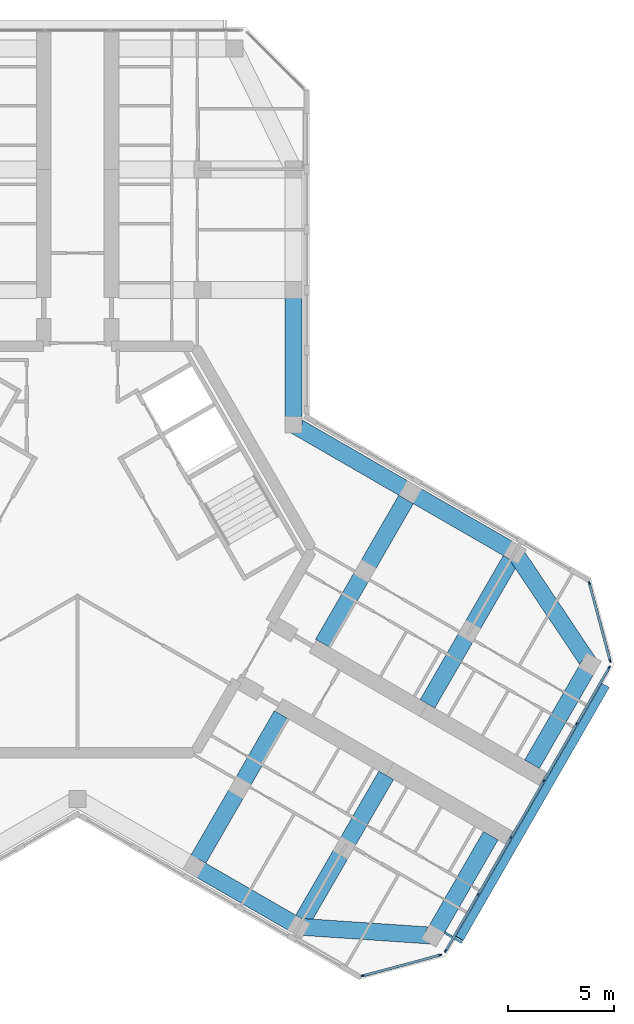
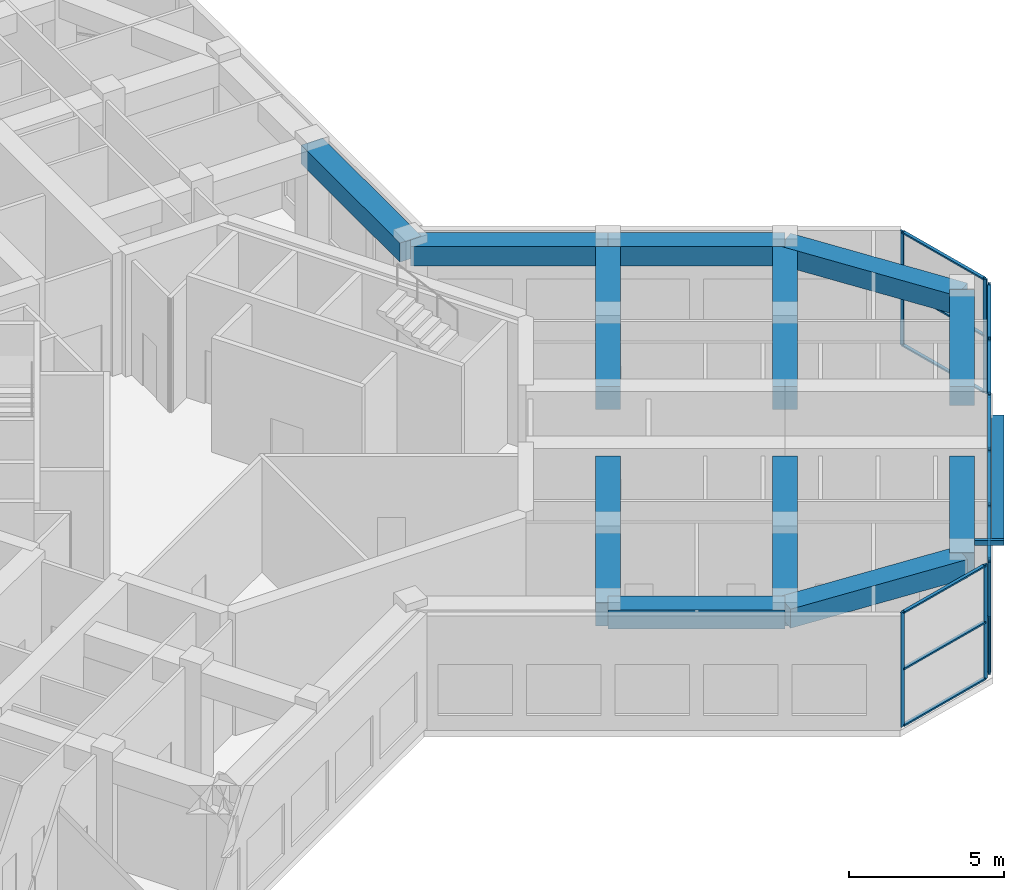
# One storey, part 4 of 14: 33 members, 12 beams, 3 elements without a shape of their own.
"""IFC4 building model written with IfcOpenShell, lengths in metres."""

from ifc_helpers import new_model, si_unit, direction, frame, origin, origin_2d, place, context, subcontext, project, spatial, rectangle, hollow_rectangle, extrude, material, material_profile, profile_set, type_object, element, aggregate, save


model = new_model("IFC4")

# Units and contexts
model_context = context("Model", 3, precision=1e-05, world=origin(), true_north=direction((0.0, 1.0)))
body_context = subcontext(model_context, "Body", "Model", "MODEL_VIEW")
ifc_project = project(units=[si_unit("LENGTHUNIT", "METRE"), si_unit("AREAUNIT", "SQUARE_METRE"), si_unit("VOLUMEUNIT", "CUBIC_METRE"), si_unit("PLANEANGLEUNIT", "RADIAN"), si_unit("MASSUNIT", "GRAM", prefix="KILO")], contexts=[model_context])

# Site, building, storey
site_placement = place(None, origin())
site = spatial("IfcSite", under=ifc_project, at=site_placement, CompositionType="ELEMENT")
building_placement = place(site_placement, origin())
building = spatial("IfcBuilding", under=site, at=building_placement, Name="Kosmar Iwan School Tower", CompositionType="ELEMENT")
storey_placement = place(building_placement, frame((0.0, 0.0, 296.199951171875)))
storey = spatial("IfcBuildingStorey", under=building, at=storey_placement, Name="L75", CompositionType="ELEMENT", Elevation=296.199951171875)

# Members
ifc_material_1 = material(Name="Black anodised aluminium", Category="aluminium")
ifc_material_profile_1 = material_profile(ifc_material_1, rectangle(XDim=0.10009765625, YDim=0.39990234375, at=origin_2d()), Name="FIN 100x400")
ifc_profile_set_1 = profile_set([ifc_material_profile_1], Name="Black anodised aluminium")
member_type_1 = type_object("IfcMemberType", Name="Diagonal fin 100x400", PredefinedType="USERDEFINED", material=ifc_profile_set_1)
member_1_placement = place(storey_placement, frame((24.926513671875, -6.426025390625, -0.14990234375), z_axis=(-0.472764937305, -0.818851292401, 0.325539360121), x_axis=(0.162769918452, 0.281925218161, 0.945528489794)))
element("IfcMember", 1, at=member_1_placement, inside=storey, type_object=member_type_1, Name="Diagonal fin L75-F03", ObjectType="FIN", PredefinedType="USERDEFINED", context=body_context, shape_type="SweptSolid", body=[
    extrude(rectangle(XDim=0.10009765625, YDim=0.39990234375, at=origin_2d()), origin(), (0.0, 0.0, 1.0), 14.591064453125),
])
ifc_material_2 = material(Name="Steel S355", Category="steel")
ifc_material_profile_2 = material_profile(ifc_material_2, hollow_rectangle(XDim=0.10009765625, YDim=0.199951171875, WallThickness=0.008056640625, at=origin_2d()), Name="RHS 200x100x8")
ifc_profile_set_2 = profile_set([ifc_material_profile_2], Name="Steel S355")
member_type_2 = type_object("IfcMemberType", Name="Fin bracket RHS 200x100", PredefinedType="USERDEFINED", material=ifc_profile_set_2)
member_2_placement = place(storey_placement, frame((17.327880859375, -18.087158203125, 4.650146484375), z_axis=(0.865988727248, -0.500063520245, 0.0), x_axis=(0.500063520245, 0.865988727248, 0.0)))
element("IfcMember", 2, at=member_2_placement, inside=storey, type_object=member_type_2, Name="Fin bracket RF", ObjectType="FIN BRACKET", PredefinedType="USERDEFINED", context=body_context, shape_type="SweptSolid", body=[
    extrude(hollow_rectangle(XDim=0.10009765625, YDim=0.199951171875, WallThickness=0.008056640625, at=origin_2d()), origin(), (0.0, 0.0, 1.0), 0.9501953125),
])

# Curtain wall, members
ifc_material_3 = material(Name="Dark glass in black aluminium frame", Category="aluminium")
curtain_wall_type = type_object("IfcCurtainWallType", Name="Top floor curtain wall", PredefinedType="USERDEFINED", material=ifc_material_3)
curtain_wall_1_placement = place(storey_placement, origin())
curtain_wall_1 = element("IfcCurtainWall", 3, at=curtain_wall_1_placement, inside=storey, type_object=curtain_wall_type, Name="Curtain wall L75-F02", ObjectType="FULL HEIGHT CURTAIN WALL", PredefinedType="USERDEFINED")
ifc_material_4 = material(Name="Black anodised aluminium", Category="aluminium")
ifc_material_profile_3 = material_profile(ifc_material_4, rectangle(XDim=0.06005859375, YDim=0.159912109375, at=origin_2d()), Name="MULLION 60x160")
ifc_profile_set_3 = profile_set([ifc_material_profile_3], Name="Black anodised aluminium")
member_type_3 = type_object("IfcMemberType", Name="Mullion 60x160", PredefinedType="MULLION", material=ifc_profile_set_3)
member_3_placement = place(storey_placement, frame((13.466064453125, -20.127197265625, 0.0), z_axis=(0.0, 0.0, 1.0), x_axis=(-0.258818861462, 0.965925875495, 0.0)))
member_3 = element("IfcMember", 4, at=member_3_placement, type_object=member_type_3, Name="CW5 mullion 1", PredefinedType="MULLION", context=body_context, shape_type="SweptSolid", body=[
    extrude(rectangle(XDim=0.06005859375, YDim=0.159912109375, at=origin_2d()), origin(), (0.0, 0.0, 1.0), 4.5),
])
member_4_placement = place(storey_placement, frame((17.1162109375, -19.149169921875, 0.0), z_axis=(0.0, 0.0, 1.0), x_axis=(-0.258818861462, 0.965925875495, 0.0)))
member_4 = element("IfcMember", 5, at=member_4_placement, type_object=member_type_3, Name="CW5 mullion 2", PredefinedType="MULLION", context=body_context, shape_type="SweptSolid", body=[
    extrude(rectangle(XDim=0.06005859375, YDim=0.159912109375, at=origin_2d()), origin(), (0.0, 0.0, 1.0), 4.5),
])

curtain_wall_2_placement = place(storey_placement, origin())
curtain_wall_2 = element("IfcCurtainWall", 6, at=curtain_wall_2_placement, inside=storey, type_object=curtain_wall_type, Name="Curtain wall L75-F03", ObjectType="FULL HEIGHT CURTAIN WALL", PredefinedType="USERDEFINED")
member_5_placement = place(storey_placement, frame((17.380126953125, -18.94677734375, 0.0), z_axis=(0.0, 0.0, 1.0), x_axis=(-0.866025405329, 0.499999997325, 0.0)))
member_5 = element("IfcMember", 7, at=member_5_placement, type_object=member_type_3, Name="CW5 mullion 1", PredefinedType="MULLION", context=body_context, shape_type="SweptSolid", body=[
    extrude(rectangle(XDim=0.06005859375, YDim=0.159912109375, at=origin_2d()), origin(), (0.0, 0.0, 1.0), 4.5),
])
member_6_placement = place(storey_placement, frame((18.914794921875, -16.28857421875, 0.0), z_axis=(0.0, 0.0, 1.0), x_axis=(-0.866025405329, 0.499999997325, 0.0)))
member_6 = element("IfcMember", 8, at=member_6_placement, type_object=member_type_3, Name="CW5 mullion 2", PredefinedType="MULLION", context=body_context, shape_type="SweptSolid", body=[
    extrude(rectangle(XDim=0.06005859375, YDim=0.159912109375, at=origin_2d()), origin(), (0.0, 0.0, 1.0), 4.5),
])
member_7_placement = place(storey_placement, frame((20.46435546875, -13.6044921875, 0.0), z_axis=(0.0, 0.0, 1.0), x_axis=(-0.866025405329, 0.499999997325, 0.0)))
member_7 = element("IfcMember", 9, at=member_7_placement, type_object=member_type_3, Name="CW5 mullion 3", PredefinedType="MULLION", context=body_context, shape_type="SweptSolid", body=[
    extrude(rectangle(XDim=0.06005859375, YDim=0.159912109375, at=origin_2d()), origin(), (0.0, 0.0, 1.0), 4.5),
])
member_8_placement = place(storey_placement, frame((22.01416015625, -10.92041015625, 0.0), z_axis=(0.0, 0.0, 1.0), x_axis=(-0.866025405329, 0.499999997325, 0.0)))
member_8 = element("IfcMember", 10, at=member_8_placement, type_object=member_type_3, Name="CW5 mullion 4", PredefinedType="MULLION", context=body_context, shape_type="SweptSolid", body=[
    extrude(rectangle(XDim=0.06005859375, YDim=0.159912109375, at=origin_2d()), origin(), (0.0, 0.0, 1.0), 4.5),
])
member_9_placement = place(storey_placement, frame((23.563720703125, -8.236328125, 0.0), z_axis=(0.0, 0.0, 1.0), x_axis=(-0.866025405329, 0.499999997325, 0.0)))
member_9 = element("IfcMember", 11, at=member_9_placement, type_object=member_type_3, Name="CW5 mullion 5", PredefinedType="MULLION", context=body_context, shape_type="SweptSolid", body=[
    extrude(rectangle(XDim=0.06005859375, YDim=0.159912109375, at=origin_2d()), origin(), (0.0, 0.0, 1.0), 4.5),
])
member_10_placement = place(storey_placement, frame((25.098388671875, -5.578369140625, 0.0), z_axis=(0.0, 0.0, 1.0), x_axis=(-0.866025405329, 0.499999997325, 0.0)))
member_10 = element("IfcMember", 12, at=member_10_placement, type_object=member_type_3, Name="CW5 mullion 6", PredefinedType="MULLION", context=body_context, shape_type="SweptSolid", body=[
    extrude(rectangle(XDim=0.06005859375, YDim=0.159912109375, at=origin_2d()), origin(), (0.0, 0.0, 1.0), 4.5),
])

curtain_wall_3_placement = place(storey_placement, origin())
curtain_wall_3 = element("IfcCurtainWall", 13, at=curtain_wall_3_placement, inside=storey, type_object=curtain_wall_type, Name="Curtain wall L75-F04", ObjectType="FULL HEIGHT CURTAIN WALL", PredefinedType="USERDEFINED")
member_11_placement = place(storey_placement, frame((25.141845703125, -5.24853515625, 0.0), z_axis=(0.0, 0.0, 1.0), x_axis=(-0.965925875495, -0.258818861462, 0.0)))
member_11 = element("IfcMember", 14, at=member_11_placement, type_object=member_type_3, Name="CW5 mullion 1", PredefinedType="MULLION", context=body_context, shape_type="SweptSolid", body=[
    extrude(rectangle(XDim=0.06005859375, YDim=0.159912109375, at=origin_2d()), origin(), (0.0, 0.0, 1.0), 4.5),
])
member_12_placement = place(storey_placement, frame((24.163818359375, -1.59814453125, 0.0), z_axis=(0.0, 0.0, 1.0), x_axis=(-0.965925875495, -0.258818861462, 0.0)))
member_12 = element("IfcMember", 15, at=member_12_placement, type_object=member_type_3, Name="CW5 mullion 2", PredefinedType="MULLION", context=body_context, shape_type="SweptSolid", body=[
    extrude(rectangle(XDim=0.06005859375, YDim=0.159912109375, at=origin_2d()), origin(), (0.0, 0.0, 1.0), 4.5),
])

# Beams
ifc_material_5 = material(Name="Concrete C50/60", Category="concrete")
ifc_material_profile_4 = material_profile(ifc_material_5, rectangle(XDim=0.800048828125, YDim=0.75, at=origin_2d()), Name="RC 800x750")
ifc_profile_set_4 = profile_set([ifc_material_profile_4], Name="Concrete C50/60")
beam_type_1 = type_object("IfcBeamType", Name="RC edge beam 800x750", PredefinedType="BEAM", material=ifc_profile_set_4)
beam_1_placement = place(storey_placement, frame((10.199951171875, 5.888916015625, 4.125), z_axis=(0.0, 1.0, 0.0), x_axis=(-1.0, 0.0, 0.0)))
element("IfcBeam", 16, at=beam_1_placement, inside=storey, type_object=beam_type_1, Name="Edge beam AR1", PredefinedType="BEAM", context=body_context, shape_type="SweptSolid", body=[
    extrude(rectangle(XDim=0.800048828125, YDim=0.75, at=origin_2d()), origin(), (0.0, 0.0, 1.0), 6.361083984375),
])
beam_2_placement = place(storey_placement, frame((10.199951171875, 5.888916015625, 4.125), z_axis=(0.866030912664, -0.49999045822, 0.0), x_axis=(0.49999045822, 0.866030912664, 0.0)))
element("IfcBeam", 17, at=beam_2_placement, inside=storey, type_object=beam_type_1, Name="Edge beam CL1", PredefinedType="BEAM", context=body_context, shape_type="SweptSolid", body=[
    extrude(rectangle(XDim=0.800048828125, YDim=0.75, at=origin_2d()), origin(), (0.0, 0.0, 1.0), 6.36083984375),
])
beam_3_placement = place(storey_placement, frame((15.708740234375, 2.70849609375, 4.125), z_axis=(0.866025820012, -0.499999279071, 0.0), x_axis=(0.499999279071, 0.866025820012, 0.0)))
element("IfcBeam", 18, at=beam_3_placement, inside=storey, type_object=beam_type_1, Name="Edge beam CL2", PredefinedType="BEAM", context=body_context, shape_type="SweptSolid", body=[
    extrude(rectangle(XDim=0.800048828125, YDim=0.75, at=origin_2d()), origin(), (0.0, 0.0, 1.0), 5.7001953125),
])
beam_4_placement = place(storey_placement, frame((5.5087890625, -14.95849609375, 4.125), z_axis=(0.866033658841, -0.49998570155, 0.0), x_axis=(0.49998570155, 0.866033658841, 0.0)))
element("IfcBeam", 19, at=beam_4_placement, inside=storey, type_object=beam_type_1, Name="Edge beam CR2", PredefinedType="BEAM", context=body_context, shape_type="SweptSolid", body=[
    extrude(rectangle(XDim=0.800048828125, YDim=0.75, at=origin_2d()), origin(), (0.0, 0.0, 1.0), 5.699951171875),
])
ifc_material_6 = material(Name="Concrete C50/60", Category="concrete")
ifc_material_profile_5 = material_profile(ifc_material_6, rectangle(XDim=0.800048828125, YDim=0.75, at=origin_2d()), Name="RC 800x750")
ifc_profile_set_5 = profile_set([ifc_material_profile_5], Name="Concrete C50/60")
beam_type_2 = type_object("IfcBeamType", Name="RC tip beam 800x750", PredefinedType="BEAM", material=ifc_profile_set_5)
beam_5_placement = place(storey_placement, frame((20.645263671875, -0.1416015625, 4.125), z_axis=(0.556827604145, -0.83062808721, 0.0), x_axis=(0.83062808721, 0.556827604145, 0.0)))
element("IfcBeam", 20, at=beam_5_placement, inside=storey, type_object=beam_type_2, Name="Tip beam CL", PredefinedType="BEAM", context=body_context, shape_type="SweptSolid", body=[
    extrude(rectangle(XDim=0.800048828125, YDim=0.75, at=origin_2d()), origin(), (0.0, 0.0, 1.0), 6.3505859375),
])
beam_6_placement = place(storey_placement, frame((24.181396484375, -5.41650390625, 4.125), z_axis=(-0.499988730927, -0.866031909889, 0.0), x_axis=(0.866031909889, -0.499988730927, 0.0)))
element("IfcBeam", 21, at=beam_6_placement, inside=storey, type_object=beam_type_2, Name="Tip beam CL to corridor wall", PredefinedType="BEAM", context=body_context, shape_type="SweptSolid", body=[
    extrude(rectangle(XDim=0.800048828125, YDim=0.75, at=origin_2d()), origin(), (0.0, 0.0, 1.0), 5.449951171875),
])
beam_7_placement = place(storey_placement, frame((10.445068359375, -17.808349609375, 4.125), z_axis=(0.997755118724, -0.066968074933, 0.0), x_axis=(0.066968074933, 0.997755118724, 0.0)))
element("IfcBeam", 22, at=beam_7_placement, inside=storey, type_object=beam_type_2, Name="Tip beam CR", PredefinedType="BEAM", context=body_context, shape_type="SweptSolid", body=[
    extrude(rectangle(XDim=0.800048828125, YDim=0.75, at=origin_2d()), origin(), (0.0, 0.0, 1.0), 6.3505859375),
])
beam_8_placement = place(storey_placement, frame((16.781494140625, -18.233642578125, 4.125), z_axis=(0.500002931134, 0.866023711487, 0.0), x_axis=(-0.866023711487, 0.500002931134, 0.0)))
element("IfcBeam", 23, at=beam_8_placement, inside=storey, type_object=beam_type_2, Name="Tip beam CR to corridor wall", PredefinedType="BEAM", context=body_context, shape_type="SweptSolid", body=[
    extrude(rectangle(XDim=0.800048828125, YDim=0.75, at=origin_2d()), origin(), (0.0, 0.0, 1.0), 5.4501953125),
])
ifc_material_7 = material(Name="Concrete C50/60", Category="concrete")
ifc_material_profile_6 = material_profile(ifc_material_7, rectangle(XDim=0.800048828125, YDim=0.89990234375, at=origin_2d()), Name="RC 800x900")
ifc_profile_set_6 = profile_set([ifc_material_profile_6], Name="Concrete C50/60")
beam_type_3 = type_object("IfcBeamType", Name="RC transverse beam 800x900", PredefinedType="BEAM", material=ifc_profile_set_6)
beam_9_placement = place(storey_placement, frame((15.708740234375, 2.70849609375, 4.050048828125), z_axis=(-0.499996545922, -0.866027397988, 0.0), x_axis=(0.866027397988, -0.499996545922, 0.0)))
element("IfcBeam", 24, at=beam_9_placement, inside=storey, type_object=beam_type_3, Name="Transverse beam CL1", PredefinedType="BEAM", context=body_context, shape_type="SweptSolid", body=[
    extrude(rectangle(XDim=0.800048828125, YDim=0.89990234375, at=origin_2d()), origin(), (0.0, 0.0, 1.0), 8.25),
])
beam_10_placement = place(storey_placement, frame((20.645263671875, -0.1416015625, 4.050048828125), z_axis=(-0.500009360108, -0.866019999656, 0.0), x_axis=(0.866019999656, -0.500009360108, 0.0)))
element("IfcBeam", 25, at=beam_10_placement, inside=storey, type_object=beam_type_3, Name="Transverse beam CL2", PredefinedType="BEAM", context=body_context, shape_type="SweptSolid", body=[
    extrude(rectangle(XDim=0.800048828125, YDim=0.89990234375, at=origin_2d()), origin(), (0.0, 0.0, 1.0), 8.249755859375),
])
beam_11_placement = place(storey_placement, frame((5.5087890625, -14.95849609375, 4.050048828125), z_axis=(0.499996545922, 0.866027397988, 0.0), x_axis=(-0.866027397988, 0.499996545922, 0.0)))
element("IfcBeam", 26, at=beam_11_placement, inside=storey, type_object=beam_type_3, Name="Transverse beam CR1", PredefinedType="BEAM", context=body_context, shape_type="SweptSolid", body=[
    extrude(rectangle(XDim=0.800048828125, YDim=0.89990234375, at=origin_2d()), origin(), (0.0, 0.0, 1.0), 8.25),
])
beam_12_placement = place(storey_placement, frame((10.445068359375, -17.808349609375, 4.050048828125), z_axis=(0.500009360108, 0.866019999656, 0.0), x_axis=(-0.866019999656, 0.500009360108, 0.0)))
element("IfcBeam", 27, at=beam_12_placement, inside=storey, type_object=beam_type_3, Name="Transverse beam CR2", PredefinedType="BEAM", context=body_context, shape_type="SweptSolid", body=[
    extrude(rectangle(XDim=0.800048828125, YDim=0.89990234375, at=origin_2d()), origin(), (0.0, 0.0, 1.0), 8.249755859375),
])

# Member
ifc_material_8 = material(Name="Black anodised aluminium", Category="aluminium")
ifc_material_profile_7 = material_profile(ifc_material_8, rectangle(XDim=0.1201171875, YDim=0.06005859375, at=origin_2d()), Name="TRANSOM 60x120")
ifc_profile_set_7 = profile_set([ifc_material_profile_7], Name="Black anodised aluminium")
member_type_4 = type_object("IfcMemberType", Name="Transom 60x120", PredefinedType="USERDEFINED", material=ifc_profile_set_7)
member_13_placement = place(storey_placement, frame((13.494873046875, -20.119384765625, 0.030029296875), z_axis=(0.965940141052, 0.258765615768, 0.0), x_axis=(-0.258765615768, 0.965940141052, 0.0)))
member_13 = element("IfcMember", 28, at=member_13_placement, type_object=member_type_4, Name="CW5 transom 1.1", ObjectType="TRANSOM", PredefinedType="USERDEFINED", context=body_context, shape_type="SweptSolid", body=[
    extrude(rectangle(XDim=0.1201171875, YDim=0.06005859375, at=origin_2d()), origin(), (0.0, 0.0, 1.0), 3.71923828125),
])

member_14_placement = place(storey_placement, frame((13.494873046875, -20.119384765625, 2.25), z_axis=(0.965940141052, 0.258765615768, 0.0), x_axis=(-0.258765615768, 0.965940141052, 0.0)))
member_14 = element("IfcMember", 29, at=member_14_placement, type_object=member_type_4, Name="CW5 transom 1.2", ObjectType="TRANSOM", PredefinedType="USERDEFINED", context=body_context, shape_type="SweptSolid", body=[
    extrude(rectangle(XDim=0.1201171875, YDim=0.06005859375, at=origin_2d()), origin(), (0.0, 0.0, 1.0), 3.71923828125),
])

member_15_placement = place(storey_placement, frame((13.494873046875, -20.119384765625, 4.469970703125), z_axis=(0.965940141052, 0.258765615768, 0.0), x_axis=(-0.258765615768, 0.965940141052, 0.0)))
member_15 = element("IfcMember", 30, at=member_15_placement, type_object=member_type_4, Name="CW5 transom 1.3", ObjectType="TRANSOM", PredefinedType="USERDEFINED", context=body_context, shape_type="SweptSolid", body=[
    extrude(rectangle(XDim=0.1201171875, YDim=0.06005859375, at=origin_2d()), origin(), (0.0, 0.0, 1.0), 3.71923828125),
])

aggregate(curtain_wall_1, [member_3, member_4, member_13, member_14, member_15])

member_16_placement = place(storey_placement, frame((17.395263671875, -18.920654296875, 0.030029296875), z_axis=(0.500022102064, 0.866012642776, 0.0), x_axis=(-0.866012642776, 0.500022102064, 0.0)))
member_16 = element("IfcMember", 31, at=member_16_placement, type_object=member_type_4, Name="CW5 transom 1.1", ObjectType="TRANSOM", PredefinedType="USERDEFINED", context=body_context, shape_type="SweptSolid", body=[
    extrude(rectangle(XDim=0.1201171875, YDim=0.06005859375, at=origin_2d()), origin(), (0.0, 0.0, 1.0), 3.009033203125),
])

member_17_placement = place(storey_placement, frame((17.395263671875, -18.920654296875, 2.25), z_axis=(0.500022102064, 0.866012642776, 0.0), x_axis=(-0.866012642776, 0.500022102064, 0.0)))
member_17 = element("IfcMember", 32, at=member_17_placement, type_object=member_type_4, Name="CW5 transom 1.2", ObjectType="TRANSOM", PredefinedType="USERDEFINED", context=body_context, shape_type="SweptSolid", body=[
    extrude(rectangle(XDim=0.1201171875, YDim=0.06005859375, at=origin_2d()), origin(), (0.0, 0.0, 1.0), 3.009033203125),
])

member_18_placement = place(storey_placement, frame((17.395263671875, -18.920654296875, 4.469970703125), z_axis=(0.500022102064, 0.866012642776, 0.0), x_axis=(-0.866012642776, 0.500022102064, 0.0)))
member_18 = element("IfcMember", 33, at=member_18_placement, type_object=member_type_4, Name="CW5 transom 1.3", ObjectType="TRANSOM", PredefinedType="USERDEFINED", context=body_context, shape_type="SweptSolid", body=[
    extrude(rectangle(XDim=0.1201171875, YDim=0.06005859375, at=origin_2d()), origin(), (0.0, 0.0, 1.0), 3.009033203125),
])

member_19_placement = place(storey_placement, frame((18.9296875, -16.2626953125, 0.030029296875), z_axis=(0.500035348339, 0.866004994449, 0.0), x_axis=(-0.866004994449, 0.500035348339, 0.0)))
member_19 = element("IfcMember", 34, at=member_19_placement, type_object=member_type_4, Name="CW5 transom 2.1", ObjectType="TRANSOM", PredefinedType="USERDEFINED", context=body_context, shape_type="SweptSolid", body=[
    extrude(rectangle(XDim=0.1201171875, YDim=0.06005859375, at=origin_2d()), origin(), (0.0, 0.0, 1.0), 3.039306640625),
])

member_20_placement = place(storey_placement, frame((18.9296875, -16.2626953125, 2.25), z_axis=(0.500035348339, 0.866004994449, 0.0), x_axis=(-0.866004994449, 0.500035348339, 0.0)))
member_20 = element("IfcMember", 35, at=member_20_placement, type_object=member_type_4, Name="CW5 transom 2.2", ObjectType="TRANSOM", PredefinedType="USERDEFINED", context=body_context, shape_type="SweptSolid", body=[
    extrude(rectangle(XDim=0.1201171875, YDim=0.06005859375, at=origin_2d()), origin(), (0.0, 0.0, 1.0), 3.039306640625),
])

member_21_placement = place(storey_placement, frame((18.9296875, -16.2626953125, 4.469970703125), z_axis=(0.500035348339, 0.866004994449, 0.0), x_axis=(-0.866004994449, 0.500035348339, 0.0)))
member_21 = element("IfcMember", 36, at=member_21_placement, type_object=member_type_4, Name="CW5 transom 2.3", ObjectType="TRANSOM", PredefinedType="USERDEFINED", context=body_context, shape_type="SweptSolid", body=[
    extrude(rectangle(XDim=0.1201171875, YDim=0.06005859375, at=origin_2d()), origin(), (0.0, 0.0, 1.0), 3.039306640625),
])

member_22_placement = place(storey_placement, frame((20.4794921875, -13.57861328125, 0.030029296875), z_axis=(0.499975102327, 0.866039777986, 0.0), x_axis=(-0.866039777986, 0.499975102327, 0.0)))
member_22 = element("IfcMember", 37, at=member_22_placement, type_object=member_type_4, Name="CW5 transom 3.1", ObjectType="TRANSOM", PredefinedType="USERDEFINED", context=body_context, shape_type="SweptSolid", body=[
    extrude(rectangle(XDim=0.1201171875, YDim=0.06005859375, at=origin_2d()), origin(), (0.0, 0.0, 1.0), 3.039306640625),
])

member_23_placement = place(storey_placement, frame((20.4794921875, -13.57861328125, 2.25), z_axis=(0.499975102327, 0.866039777986, 0.0), x_axis=(-0.866039777986, 0.499975102327, 0.0)))
member_23 = element("IfcMember", 38, at=member_23_placement, type_object=member_type_4, Name="CW5 transom 3.2", ObjectType="TRANSOM", PredefinedType="USERDEFINED", context=body_context, shape_type="SweptSolid", body=[
    extrude(rectangle(XDim=0.1201171875, YDim=0.06005859375, at=origin_2d()), origin(), (0.0, 0.0, 1.0), 3.039306640625),
])

member_24_placement = place(storey_placement, frame((20.4794921875, -13.57861328125, 4.469970703125), z_axis=(0.499975102327, 0.866039777986, 0.0), x_axis=(-0.866039777986, 0.499975102327, 0.0)))
member_24 = element("IfcMember", 39, at=member_24_placement, type_object=member_type_4, Name="CW5 transom 3.3", ObjectType="TRANSOM", PredefinedType="USERDEFINED", context=body_context, shape_type="SweptSolid", body=[
    extrude(rectangle(XDim=0.1201171875, YDim=0.06005859375, at=origin_2d()), origin(), (0.0, 0.0, 1.0), 3.039306640625),
])

member_25_placement = place(storey_placement, frame((22.029052734375, -10.89453125, 0.030029296875), z_axis=(0.500035348339, 0.866004994449, 0.0), x_axis=(-0.866004994449, 0.500035348339, 0.0)))
member_25 = element("IfcMember", 40, at=member_25_placement, type_object=member_type_4, Name="CW5 transom 4.1", ObjectType="TRANSOM", PredefinedType="USERDEFINED", context=body_context, shape_type="SweptSolid", body=[
    extrude(rectangle(XDim=0.1201171875, YDim=0.06005859375, at=origin_2d()), origin(), (0.0, 0.0, 1.0), 3.039306640625),
])

member_26_placement = place(storey_placement, frame((22.029052734375, -10.89453125, 2.25), z_axis=(0.500035348339, 0.866004994449, 0.0), x_axis=(-0.866004994449, 0.500035348339, 0.0)))
member_26 = element("IfcMember", 41, at=member_26_placement, type_object=member_type_4, Name="CW5 transom 4.2", ObjectType="TRANSOM", PredefinedType="USERDEFINED", context=body_context, shape_type="SweptSolid", body=[
    extrude(rectangle(XDim=0.1201171875, YDim=0.06005859375, at=origin_2d()), origin(), (0.0, 0.0, 1.0), 3.039306640625),
])

member_27_placement = place(storey_placement, frame((22.029052734375, -10.89453125, 4.469970703125), z_axis=(0.500035348339, 0.866004994449, 0.0), x_axis=(-0.866004994449, 0.500035348339, 0.0)))
member_27 = element("IfcMember", 42, at=member_27_placement, type_object=member_type_4, Name="CW5 transom 4.3", ObjectType="TRANSOM", PredefinedType="USERDEFINED", context=body_context, shape_type="SweptSolid", body=[
    extrude(rectangle(XDim=0.1201171875, YDim=0.06005859375, at=origin_2d()), origin(), (0.0, 0.0, 1.0), 3.039306640625),
])

member_28_placement = place(storey_placement, frame((23.578857421875, -8.21044921875, 0.030029296875), z_axis=(0.499986971506, 0.866032925658, 0.0), x_axis=(-0.866032925658, 0.499986971506, 0.0)))
member_28 = element("IfcMember", 43, at=member_28_placement, type_object=member_type_4, Name="CW5 transom 5.1", ObjectType="TRANSOM", PredefinedType="USERDEFINED", context=body_context, shape_type="SweptSolid", body=[
    extrude(rectangle(XDim=0.1201171875, YDim=0.06005859375, at=origin_2d()), origin(), (0.0, 0.0, 1.0), 3.00927734375),
])

member_29_placement = place(storey_placement, frame((23.578857421875, -8.21044921875, 2.25), z_axis=(0.499986971506, 0.866032925658, 0.0), x_axis=(-0.866032925658, 0.499986971506, 0.0)))
member_29 = element("IfcMember", 44, at=member_29_placement, type_object=member_type_4, Name="CW5 transom 5.2", ObjectType="TRANSOM", PredefinedType="USERDEFINED", context=body_context, shape_type="SweptSolid", body=[
    extrude(rectangle(XDim=0.1201171875, YDim=0.06005859375, at=origin_2d()), origin(), (0.0, 0.0, 1.0), 3.00927734375),
])

member_30_placement = place(storey_placement, frame((23.578857421875, -8.21044921875, 4.469970703125), z_axis=(0.499986971506, 0.866032925658, 0.0), x_axis=(-0.866032925658, 0.499986971506, 0.0)))
member_30 = element("IfcMember", 45, at=member_30_placement, type_object=member_type_4, Name="CW5 transom 5.3", ObjectType="TRANSOM", PredefinedType="USERDEFINED", context=body_context, shape_type="SweptSolid", body=[
    extrude(rectangle(XDim=0.1201171875, YDim=0.06005859375, at=origin_2d()), origin(), (0.0, 0.0, 1.0), 3.00927734375),
])

aggregate(curtain_wall_2, [member_5, member_6, member_7, member_8, member_9, member_10, member_16, member_17, member_18, member_19, member_20, member_21, member_22, member_23, member_24, member_25, member_26, member_27, member_28, member_29, member_30])

member_31_placement = place(storey_placement, frame((25.134033203125, -5.219482421875, 0.030029296875), z_axis=(-0.258843273983, 0.965919333854, 0.0), x_axis=(-0.965919333854, -0.258843273983, 0.0)))
member_31 = element("IfcMember", 46, at=member_31_placement, type_object=member_type_4, Name="CW5 transom 1.1", ObjectType="TRANSOM", PredefinedType="USERDEFINED", context=body_context, shape_type="SweptSolid", body=[
    extrude(rectangle(XDim=0.1201171875, YDim=0.06005859375, at=origin_2d()), origin(), (0.0, 0.0, 1.0), 3.718994140625),
])

member_32_placement = place(storey_placement, frame((25.134033203125, -5.219482421875, 2.25), z_axis=(-0.258843273983, 0.965919333854, 0.0), x_axis=(-0.965919333854, -0.258843273983, 0.0)))
member_32 = element("IfcMember", 47, at=member_32_placement, type_object=member_type_4, Name="CW5 transom 1.2", ObjectType="TRANSOM", PredefinedType="USERDEFINED", context=body_context, shape_type="SweptSolid", body=[
    extrude(rectangle(XDim=0.1201171875, YDim=0.06005859375, at=origin_2d()), origin(), (0.0, 0.0, 1.0), 3.718994140625),
])

member_33_placement = place(storey_placement, frame((25.134033203125, -5.219482421875, 4.469970703125), z_axis=(-0.258843273983, 0.965919333854, 0.0), x_axis=(-0.965919333854, -0.258843273983, 0.0)))
member_33 = element("IfcMember", 48, at=member_33_placement, type_object=member_type_4, Name="CW5 transom 1.3", ObjectType="TRANSOM", PredefinedType="USERDEFINED", context=body_context, shape_type="SweptSolid", body=[
    extrude(rectangle(XDim=0.1201171875, YDim=0.06005859375, at=origin_2d()), origin(), (0.0, 0.0, 1.0), 3.718994140625),
])

aggregate(curtain_wall_3, [member_11, member_12, member_31, member_32, member_33])

save(model, "model.ifc")
